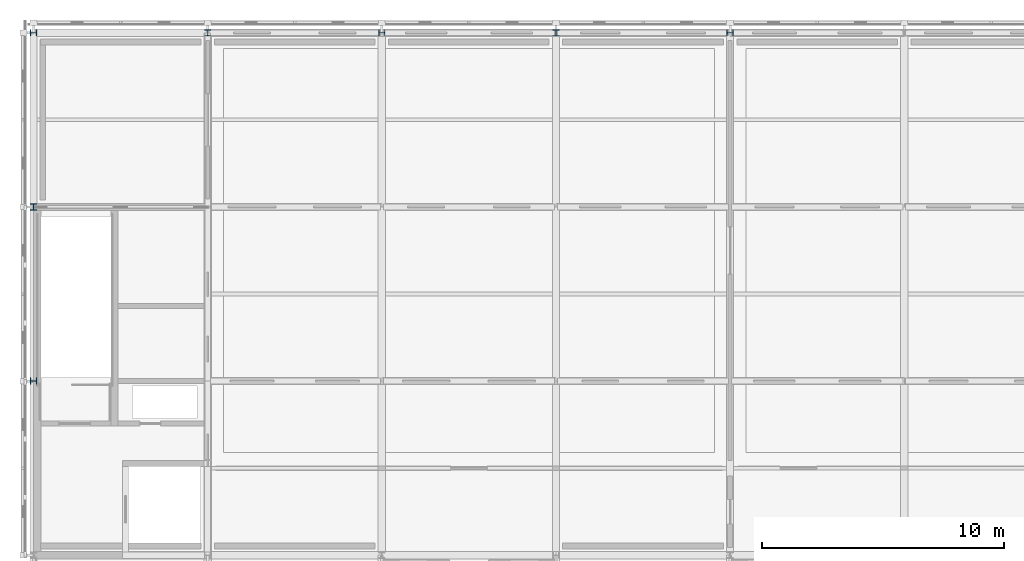
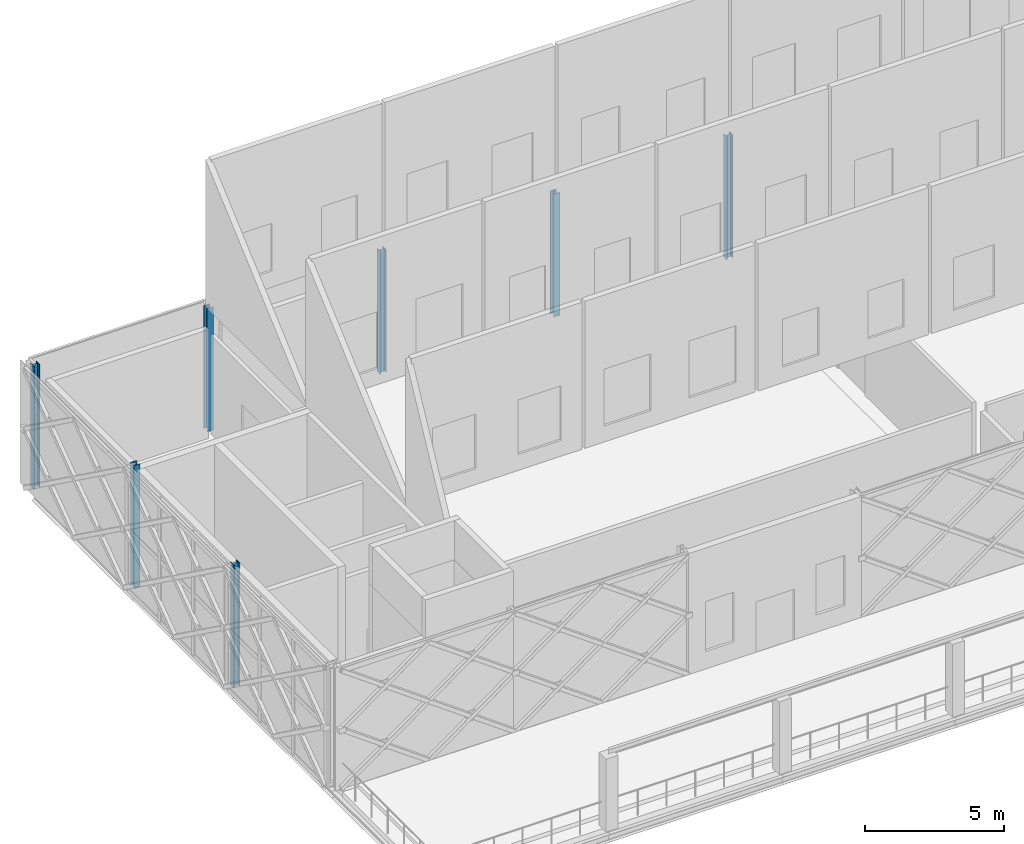
# One storey, part 3 of 31: 7 columns.
"""IFC4 building model written with IfcOpenShell, lengths in metres."""

from ifc_helpers import new_model, si_unit, direction, frame, origin, origin_2d, place, context, subcontext, project, spatial, i_section, extrude, material, material_profile, profile_set, type_object, element, save


model = new_model("IFC4")

# Units and contexts
model_context = context("Model", 3, precision=1e-05, world=origin(), true_north=direction((0.0, 1.0)))
body_context = subcontext(model_context, "Body", "Model", "MODEL_VIEW")
ifc_project = project(units=[si_unit("LENGTHUNIT", "METRE"), si_unit("AREAUNIT", "SQUARE_METRE"), si_unit("VOLUMEUNIT", "CUBIC_METRE"), si_unit("PLANEANGLEUNIT", "RADIAN"), si_unit("MASSUNIT", "GRAM", prefix="KILO")], contexts=[model_context])

# Site, building, storey
site_placement = place(None, origin())
site = spatial("IfcSite", under=ifc_project, at=site_placement, CompositionType="ELEMENT")
building_placement = place(site_placement, origin())
building = spatial("IfcBuilding", under=site, at=building_placement, Name="Zlatovets Crest Museum", CompositionType="ELEMENT")
storey_placement = place(building_placement, frame((0.0, 0.0, 25.199951171875)))
storey = spatial("IfcBuildingStorey", under=building, at=storey_placement, Name="L05", CompositionType="ELEMENT", Elevation=25.199951171875)

# Columns
ifc_material = material(Name="Structural steel S355J2", Category="steel")
ifc_material_profile = material_profile(ifc_material, i_section(OverallWidth=0.260009765625, OverallDepth=0.260009765625, WebThickness=0.010009765625, FlangeThickness=0.017578125, FilletRadius=0.02392578125, at=origin_2d()), Name="HEB 260")
ifc_profile_set = profile_set([ifc_material_profile], Name="Structural steel S355J2")
column_type = type_object("IfcColumnType", Name="Col_C-10", PredefinedType="COLUMN", material=ifc_profile_set)
for number, where, z_axis, x_axis, name in (
    (1, (57.60009765625, 100.800048828125, 0.0), (0.0, 0.0, 1.0), (0.0, 1.0, 0.0), "V1 L05 Column (57.6, 100.8)"),
    (2, (57.60009765625, 108.0, 0.0), (0.0, 0.0, 1.0), (1.0, 0.0, 0.0), "V1 L05 Column (57.6, 108.0)"),
    (3, (57.60009765625, 115.199951171875, 0.0), (0.0, 0.0, 1.0), (0.0, 1.0, 0.0), "V1 L05 Column (57.6, 115.2)"),
    (4, (64.800048828125, 115.199951171875, 0.0), (0.0, 0.0, 1.0), (1.0, 0.0, 0.0), "V1 L05 Column (64.8, 115.2)"),
    (5, (72.0, 115.199951171875, 0.0), (0.0, 0.0, 1.0), (0.0, 1.0, 0.0), "V1 L05 Column (72.0, 115.2)"),
    (6, (79.199951171875, 115.199951171875, 0.0), (0.0, 0.0, 1.0), (1.0, 0.0, 0.0), "V1 L05 Column (79.2, 115.2)"),
    (7, (86.39990234375, 115.199951171875, 0.0), (0.0, 0.0, 1.0), (0.0, 1.0, 0.0), "V1 L05 Column (86.4, 115.2)"),
):
    element("IfcColumn", number, at=place(storey_placement, frame(where, z_axis=z_axis, x_axis=x_axis)), inside=storey, type_object=column_type, Name=name, PredefinedType="COLUMN", context=body_context, shape_type="SweptSolid", body=[
        extrude(i_section(OverallWidth=0.260009765625, OverallDepth=0.260009765625, WebThickness=0.010009765625, FlangeThickness=0.017578125, FilletRadius=0.02392578125, at=origin_2d()), origin(), (0.0, 0.0, 1.0), 5.400146484375),
    ])

save(model, "model.ifc")
